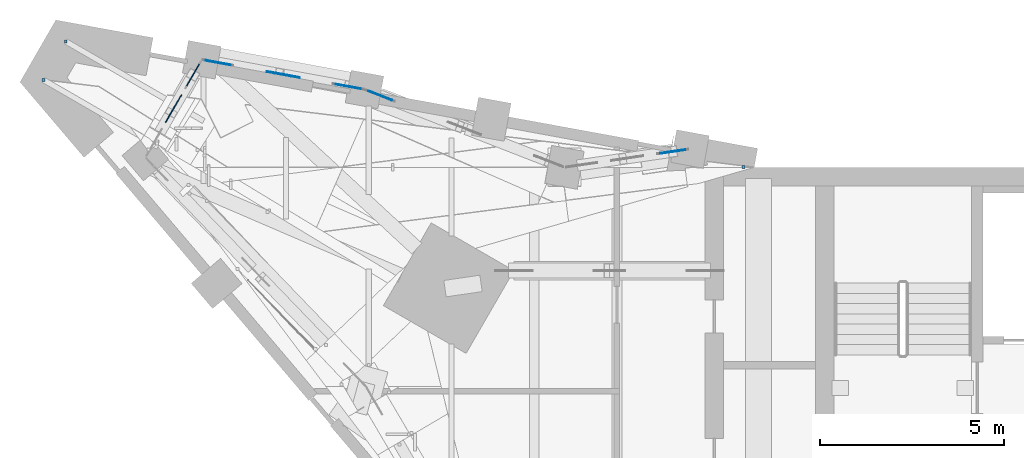
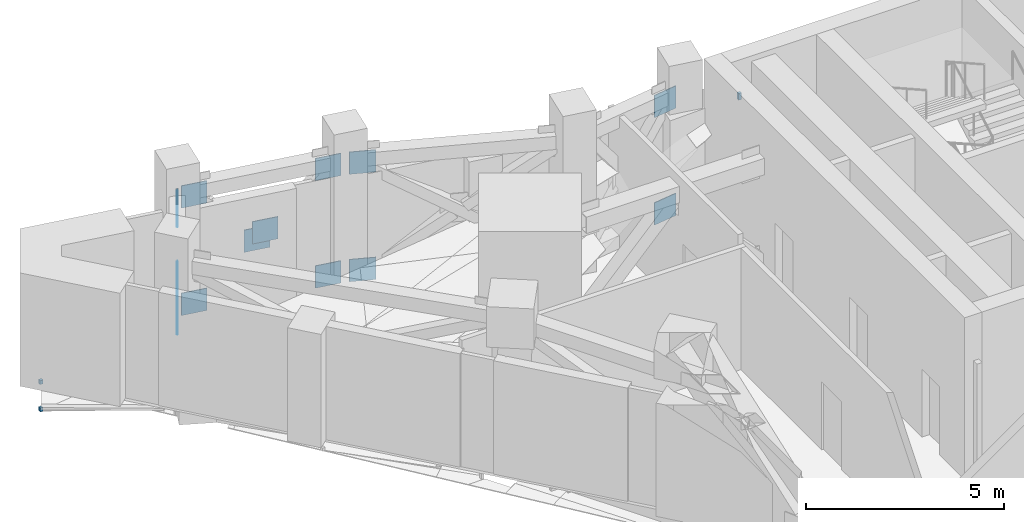
# One storey, part 19 of 22: 17 discrete accessories.
"""IFC4 building model written with IfcOpenShell, lengths in metres."""

from ifc_helpers import new_model, si_unit, direction, frame, origin, origin_2d, place, context, subcontext, project, spatial, rectangle, extrude, material, type_object, element, save


model = new_model("IFC4")

# Units and contexts
model_context = context("Model", 3, precision=1e-05, world=origin(), true_north=direction((0.0, 1.0)))
body_context = subcontext(model_context, "Body", "Model", "MODEL_VIEW")
ifc_project = project(units=[si_unit("LENGTHUNIT", "METRE"), si_unit("AREAUNIT", "SQUARE_METRE"), si_unit("VOLUMEUNIT", "CUBIC_METRE"), si_unit("PLANEANGLEUNIT", "RADIAN"), si_unit("MASSUNIT", "GRAM", prefix="KILO")], contexts=[model_context])

# Site, building, storey
site_placement = place(None, origin())
site = spatial("IfcSite", under=ifc_project, at=site_placement, CompositionType="ELEMENT")
building_placement = place(site_placement, origin())
building = spatial("IfcBuilding", under=site, at=building_placement, Name="Calabash Gate Tower", CompositionType="ELEMENT")
storey_placement = place(building_placement, frame((0.0, 0.0, 191.39990234375)))
storey = spatial("IfcBuildingStorey", under=building, at=storey_placement, Name="L45", CompositionType="ELEMENT", Elevation=191.39990234375)

# Discrete accessories
ifc_material_1 = material(Name="Steel ASTM A572 Gr50", Category="steel")
discrete_accessory_type_1 = type_object("IfcDiscreteAccessoryType", Name="Connection plate 25", PredefinedType="BRACKET", material=ifc_material_1)
for number, where, z_axis, x_axis, name in (
    (1, (-16.4833984375, 19.482177734375, 0.0625), (0.0, 0.0, 1.0), (-0.989526280364, -0.144352833256, 0.0), "Connection plate Belt diagonal L45 68 start"),
    (2, (-16.4833984375, 19.482177734375, 3.3798828125), (0.0, 0.0, 1.0), (-0.989526295481, -0.144352729633, 0.0), "Connection plate Belt diagonal (split) L45 69 half 1 of 2 start"),
    (3, (-24.439453125, 21.004150390625, 3.3798828125), (0.0, 0.0, 1.0), (-0.931826716754, 0.362903527047, 0.0), "Connection plate Belt diagonal L45 73 end"),
    (4, (-24.439453125, 21.004150390625, 0.0625), (0.0, 0.0, 1.0), (-0.931826780093, 0.362903364413, 0.0), "Connection plate Belt diagonal (split) L45 75 half 2 of 2 end"),
    (5, (-25.30908203125, 21.25146484375, 0.0625), (0.0, 0.0, 1.0), (-0.983669974051, 0.179981616143, 0.0), "Connection plate Belt diagonal L45 78 start"),
    (6, (-28.850341796875, 21.8994140625, 3.3798828125), (0.0, 0.0, 1.0), (-0.983669974051, 0.179981616143, 0.0), "Connection plate Belt diagonal L45 78 end"),
    (7, (-25.30908203125, 21.25146484375, 3.3798828125), (0.0, 0.0, 1.0), (-0.983669967769, 0.17998165048, 0.0), "Connection plate Belt diagonal (split) L45 79 half 1 of 2 start"),
    (8, (-26.96923828125, 21.55517578125, 1.82470703125), (0.0, 0.0, 1.0), (-0.983669967769, 0.17998165048, 0.0), "Connection plate Belt diagonal (split) L45 79 half 1 of 2 end"),
    (9, (-27.1904296875, 21.595703125, 1.61767578125), (0.0, 0.0, 1.0), (-0.983669967769, 0.17998165048, 0.0), "Connection plate Belt diagonal (split) L45 80 half 2 of 2 start"),
    (10, (-28.850341796875, 21.8994140625, 0.0625), (0.0, 0.0, 1.0), (-0.983669967769, 0.17998165048, 0.0), "Connection plate Belt diagonal (split) L45 80 half 2 of 2 end"),
    (11, (-29.531982421875, 21.566650390625, 0.0625), (0.0, 0.0, 1.0), (-0.500000166265, -0.866025307791, 0.0), "Connection plate Belt diagonal L45 83 start"),
    (12, (-29.531982421875, 21.566650390625, 3.3798828125), (0.0, 0.0, 1.0), (-0.500000015115, -0.866025395058, 0.0), "Connection plate Belt diagonal (split) L45 84 half 1 of 2 start"),
    (13, (-30.01513671875, 20.729736328125, 1.86279296875), (0.0, 0.0, 1.0), (-0.500000015115, -0.866025395058, 0.0), "Connection plate Belt diagonal (split) L45 84 half 1 of 2 end"),
    (14, (-30.10546875, 20.5732421875, 1.57958984375), (0.0, 0.0, 1.0), (-0.500000015115, -0.866025395058, 0.0), "Connection plate Belt diagonal (split) L45 85 half 2 of 2 start"),
):
    element("IfcDiscreteAccessory", number, at=place(storey_placement, frame(where, z_axis=z_axis, x_axis=x_axis)), inside=storey, type_object=discrete_accessory_type_1, Name=name, PredefinedType="BRACKET", context=body_context, shape_type="SweptSolid", body=[
        extrude(rectangle(XDim=0.687744140625, YDim=0.02490234375, at=origin_2d()), origin(), (0.0, 0.0, 1.0), 0.687744140625),
    ])
ifc_material_2 = material(Name="Stainless steel 316 bracket", Category="steel")
discrete_accessory_type_2 = type_object("IfcDiscreteAccessoryType", Name="Soffit bracket 80x80x120", PredefinedType="BRACKET", material=ifc_material_2)
discrete_accessory_placement = place(storey_placement, frame((-14.5595703125, 19.060546875, 3.38134765625), z_axis=(0.0, 0.0, 1.0), x_axis=(1.0, 0.0, 0.0)))
element("IfcDiscreteAccessory", 15, at=discrete_accessory_placement, inside=storey, type_object=discrete_accessory_type_2, Name="Soffit bracket Z4 NW SOF-Z4-NW-42", PredefinedType="BRACKET", context=body_context, shape_type="SweptSolid", body=[
    extrude(rectangle(XDim=0.080078125, YDim=0.080078125, at=origin_2d()), origin(), (0.0, 0.0, 1.0), 0.200927734375),
])
for number, where, z_axis, x_axis, name in (
    (16, (-32.992431640625, 22.478515625, -1.02001953125), (0.0, 0.0, 1.0), (1.0, 0.0, 0.0), "Soffit bracket Z4 NW 1"),
    (17, (-33.59716796875, 21.43115234375, -1.02001953125), (0.0, 0.0, 1.0), (1.0, 0.0, 0.0), "Soffit bracket Z4 NW 2"),
):
    element("IfcDiscreteAccessory", number, at=place(storey_placement, frame(where, z_axis=z_axis, x_axis=x_axis)), inside=storey, type_object=discrete_accessory_type_2, Name=name, PredefinedType="BRACKET", context=body_context, shape_type="SweptSolid", body=[
        extrude(rectangle(XDim=0.080078125, YDim=0.080078125, at=origin_2d()), origin(), (0.0, 0.0, 1.0), 0.1201171875),
    ])

save(model, "model.ifc")
